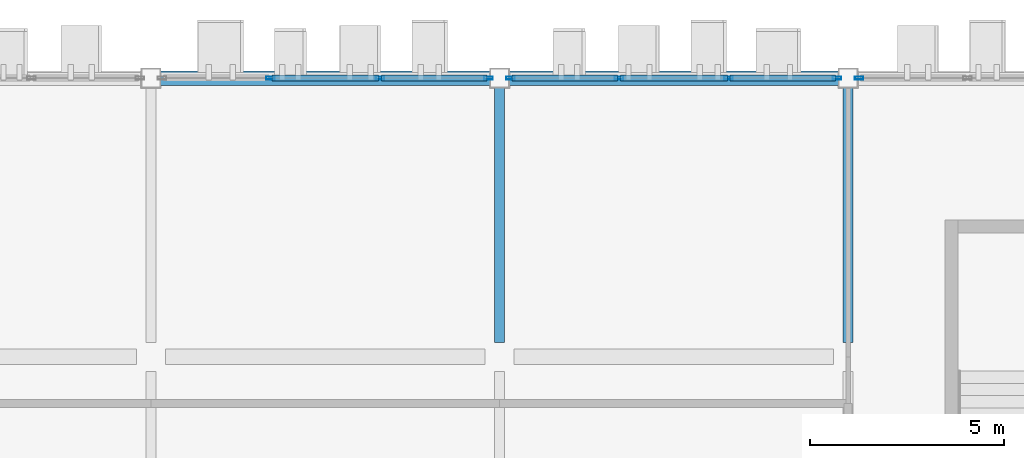
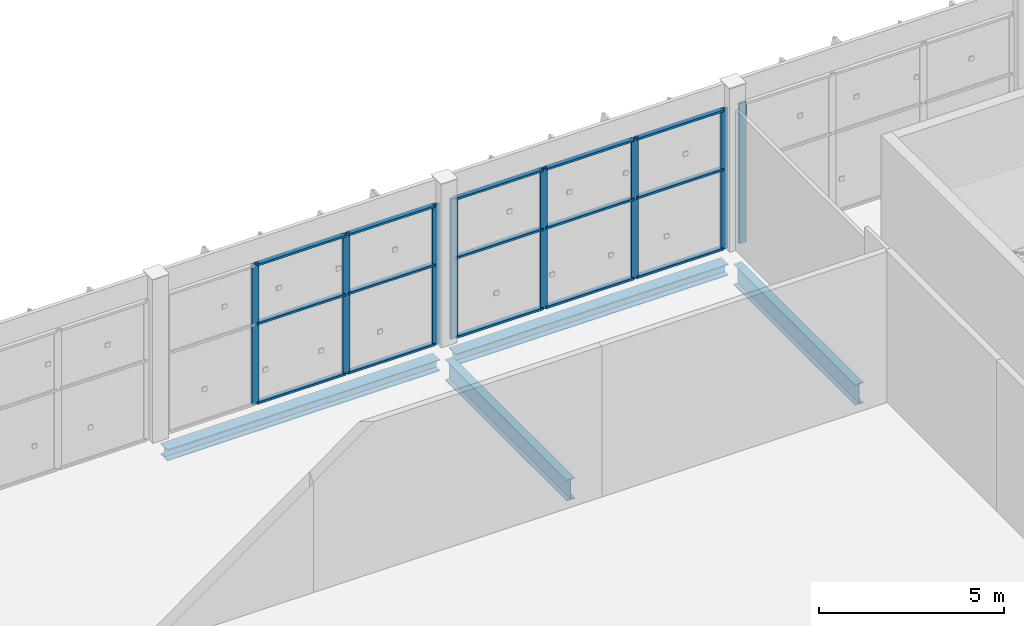
# One storey, part 110 of 189: 23 members, 4 beams, 3 elements without a shape of their own.
"""IFC4 building model written with IfcOpenShell, lengths in metres."""

from ifc_helpers import new_model, si_unit, direction, frame, origin, origin_2d, place, context, subcontext, project, spatial, hollow_rectangle, i_section, extrude, material, layer, layer_set, material_profile, profile_set, type_object, element, aggregate, save


model = new_model("IFC4")

# Units and contexts
model_context = context("Model", 3, precision=1e-05, world=origin(), true_north=direction((0.0, 1.0)))
body_context = subcontext(model_context, "Body", "Model", "MODEL_VIEW")
ifc_project = project(units=[si_unit("LENGTHUNIT", "METRE"), si_unit("AREAUNIT", "SQUARE_METRE"), si_unit("VOLUMEUNIT", "CUBIC_METRE"), si_unit("PLANEANGLEUNIT", "RADIAN"), si_unit("MASSUNIT", "GRAM", prefix="KILO")], contexts=[model_context])

# Site, building, storey
site_placement = place(None, origin())
site = spatial("IfcSite", under=ifc_project, at=site_placement, CompositionType="ELEMENT")
building_placement = place(site_placement, origin())
building = spatial("IfcBuilding", under=site, at=building_placement, Name="Celestram Park Convention Centre", CompositionType="ELEMENT")
storey_placement = place(building_placement, frame((0.0, 0.0, 5.39990234375)))
storey = spatial("IfcBuildingStorey", under=building, at=storey_placement, Name="L01", CompositionType="ELEMENT", Elevation=5.39990234375)

# Curtain wall, members
ifc_material_1 = material(Name="Anodised Aluminium Alloy 6063-T6", Category="aluminium")
ifc_layer = layer(ifc_material_1, 0.179931640625)
ifc_layer_set = layer_set([ifc_layer], Name="Anodised Aluminium Alloy 6063-T6")
curtain_wall_type = type_object("IfcCurtainWallType", Name="ARC-CW-850X462", PredefinedType="NOTDEFINED", material=ifc_layer_set)
curtain_wall_1_placement = place(storey_placement, origin())
curtain_wall_1 = element("IfcCurtainWall", 1, at=curtain_wall_1_placement, inside=storey, type_object=curtain_wall_type, Name="Unitised curtain wall CU-L01-072", PredefinedType="NOTDEFINED")
ifc_material_profile_1 = material_profile(ifc_material_1, hollow_rectangle(XDim=0.074951171875, YDim=0.219970703125, WallThickness=0.00390625, at=origin_2d()), Name="ALU75X220X4")
ifc_profile_set_1 = profile_set([ifc_material_profile_1], Name="Anodised Aluminium Alloy 6063-T6")
member_type_1 = type_object("IfcMemberType", Name="ARC-CWM-180", PredefinedType="MULLION", material=ifc_profile_set_1)
member_1_placement = place(storey_placement, frame((192.082763671875, 165.60009765625, 0.0), z_axis=(0.0, 0.0, 1.0), x_axis=(0.0, 1.0, 0.0)))
member_1 = element("IfcMember", 2, at=member_1_placement, type_object=member_type_1, Name="CW-85X46 mullion 2", PredefinedType="MULLION", context=body_context, shape_type="SweptSolid", body=[
    extrude(hollow_rectangle(XDim=0.074951171875, YDim=0.219970703125, WallThickness=0.00390625, at=origin_2d()), origin(), (0.0, 0.0, 1.0), 4.6240234375),
])
member_2_placement = place(storey_placement, frame((194.917236328125, 165.60009765625, 0.0), z_axis=(0.0, 0.0, 1.0), x_axis=(0.0, 1.0, 0.0)))
member_2 = element("IfcMember", 3, at=member_2_placement, type_object=member_type_1, Name="CW-85X46 mullion 3", PredefinedType="MULLION", context=body_context, shape_type="SweptSolid", body=[
    extrude(hollow_rectangle(XDim=0.074951171875, YDim=0.219970703125, WallThickness=0.00390625, at=origin_2d()), origin(), (0.0, 0.0, 1.0), 4.6240234375),
])
member_3_placement = place(storey_placement, frame((197.714599609375, 165.60009765625, 0.0), z_axis=(0.0, 0.0, 1.0), x_axis=(0.0, 1.0, 0.0)))
member_3 = element("IfcMember", 4, at=member_3_placement, type_object=member_type_1, Name="CW-85X46 mullion 4", PredefinedType="MULLION", context=body_context, shape_type="SweptSolid", body=[
    extrude(hollow_rectangle(XDim=0.074951171875, YDim=0.219970703125, WallThickness=0.00390625, at=origin_2d()), origin(), (0.0, 0.0, 1.0), 4.6240234375),
])

curtain_wall_2_placement = place(storey_placement, origin())
curtain_wall_2 = element("IfcCurtainWall", 5, at=curtain_wall_2_placement, inside=storey, type_object=curtain_wall_type, Name="Unitised curtain wall CU-L01-073", PredefinedType="NOTDEFINED")
member_4_placement = place(storey_placement, frame((198.285400390625, 165.60009765625, 0.0), z_axis=(0.0, 0.0, 1.0), x_axis=(0.0, 1.0, 0.0)))
member_4 = element("IfcMember", 6, at=member_4_placement, type_object=member_type_1, Name="CW-85X46 mullion 1", PredefinedType="MULLION", context=body_context, shape_type="SweptSolid", body=[
    extrude(hollow_rectangle(XDim=0.074951171875, YDim=0.219970703125, WallThickness=0.00390625, at=origin_2d()), origin(), (0.0, 0.0, 1.0), 4.6240234375),
])
member_5_placement = place(storey_placement, frame((201.082763671875, 165.60009765625, 0.0), z_axis=(0.0, 0.0, 1.0), x_axis=(0.0, 1.0, 0.0)))
member_5 = element("IfcMember", 7, at=member_5_placement, type_object=member_type_1, Name="CW-85X46 mullion 2", PredefinedType="MULLION", context=body_context, shape_type="SweptSolid", body=[
    extrude(hollow_rectangle(XDim=0.074951171875, YDim=0.219970703125, WallThickness=0.00390625, at=origin_2d()), origin(), (0.0, 0.0, 1.0), 4.6240234375),
])
member_6_placement = place(storey_placement, frame((203.917236328125, 165.60009765625, 0.0), z_axis=(0.0, 0.0, 1.0), x_axis=(0.0, 1.0, 0.0)))
member_6 = element("IfcMember", 8, at=member_6_placement, type_object=member_type_1, Name="CW-85X46 mullion 3", PredefinedType="MULLION", context=body_context, shape_type="SweptSolid", body=[
    extrude(hollow_rectangle(XDim=0.074951171875, YDim=0.219970703125, WallThickness=0.00390625, at=origin_2d()), origin(), (0.0, 0.0, 1.0), 4.6240234375),
])
member_7_placement = place(storey_placement, frame((206.714599609375, 165.60009765625, 0.0), z_axis=(0.0, 0.0, 1.0), x_axis=(0.0, 1.0, 0.0)))
member_7 = element("IfcMember", 9, at=member_7_placement, type_object=member_type_1, Name="CW-85X46 mullion 4", PredefinedType="MULLION", context=body_context, shape_type="SweptSolid", body=[
    extrude(hollow_rectangle(XDim=0.074951171875, YDim=0.219970703125, WallThickness=0.00390625, at=origin_2d()), origin(), (0.0, 0.0, 1.0), 4.6240234375),
])

# Curtain wall, member
curtain_wall_3_placement = place(storey_placement, origin())
curtain_wall_3 = element("IfcCurtainWall", 10, at=curtain_wall_3_placement, inside=storey, type_object=curtain_wall_type, Name="Unitised curtain wall CU-L01-074", PredefinedType="NOTDEFINED")
member_8_placement = place(storey_placement, frame((207.285400390625, 165.60009765625, 0.0), z_axis=(0.0, 0.0, 1.0), x_axis=(0.0, 1.0, 0.0)))
member_8 = element("IfcMember", 11, at=member_8_placement, type_object=member_type_1, Name="CW-85X46 mullion 1", PredefinedType="MULLION", context=body_context, shape_type="SweptSolid", body=[
    extrude(hollow_rectangle(XDim=0.074951171875, YDim=0.219970703125, WallThickness=0.00390625, at=origin_2d()), origin(), (0.0, 0.0, 1.0), 4.6240234375),
])
aggregate(curtain_wall_3, [member_8])

# Member
ifc_material_profile_2 = material_profile(ifc_material_1, hollow_rectangle(XDim=0.14990234375, YDim=0.06494140625, WallThickness=0.0029296875, at=origin_2d()), Name="ALU150X65X3")
ifc_profile_set_2 = profile_set([ifc_material_profile_2], Name="Anodised Aluminium Alloy 6063-T6")
member_type_2 = type_object("IfcMemberType", Name="ARC-CWT-150", PredefinedType="USERDEFINED", material=ifc_profile_set_2)
member_9_placement = place(storey_placement, frame((192.1201171875, 165.60009765625, 0.03271484375), z_axis=(1.0, 0.0, 0.0), x_axis=(0.0, 1.0, 0.0)))
member_9 = element("IfcMember", 12, at=member_9_placement, type_object=member_type_2, Name="CW-85X46 transom 2.1", ObjectType="TRANSOM", PredefinedType="USERDEFINED", context=body_context, shape_type="SweptSolid", body=[
    extrude(hollow_rectangle(XDim=0.14990234375, YDim=0.06494140625, WallThickness=0.0029296875, at=origin_2d()), origin(), (0.0, 0.0, 1.0), 2.759765625),
])

member_10_placement = place(storey_placement, frame((192.1201171875, 165.60009765625, 2.650146484375), z_axis=(1.0, 0.0, 0.0), x_axis=(0.0, 1.0, 0.0)))
member_10 = element("IfcMember", 13, at=member_10_placement, type_object=member_type_2, Name="CW-85X46 transom 2.2", ObjectType="TRANSOM", PredefinedType="USERDEFINED", context=body_context, shape_type="SweptSolid", body=[
    extrude(hollow_rectangle(XDim=0.14990234375, YDim=0.06494140625, WallThickness=0.0029296875, at=origin_2d()), origin(), (0.0, 0.0, 1.0), 2.759765625),
])

member_11_placement = place(storey_placement, frame((192.1201171875, 165.60009765625, 4.591552734375), z_axis=(1.0, 0.0, 0.0), x_axis=(0.0, 1.0, 0.0)))
member_11 = element("IfcMember", 14, at=member_11_placement, type_object=member_type_2, Name="CW-85X46 transom 2.3", ObjectType="TRANSOM", PredefinedType="USERDEFINED", context=body_context, shape_type="SweptSolid", body=[
    extrude(hollow_rectangle(XDim=0.14990234375, YDim=0.06494140625, WallThickness=0.0029296875, at=origin_2d()), origin(), (0.0, 0.0, 1.0), 2.759765625),
])

member_12_placement = place(storey_placement, frame((194.954833984375, 165.60009765625, 0.03271484375), z_axis=(1.0, 0.0, 0.0), x_axis=(0.0, 1.0, 0.0)))
member_12 = element("IfcMember", 15, at=member_12_placement, type_object=member_type_2, Name="CW-85X46 transom 3.1", ObjectType="TRANSOM", PredefinedType="USERDEFINED", context=body_context, shape_type="SweptSolid", body=[
    extrude(hollow_rectangle(XDim=0.14990234375, YDim=0.06494140625, WallThickness=0.0029296875, at=origin_2d()), origin(), (0.0, 0.0, 1.0), 2.72216796875),
])

member_13_placement = place(storey_placement, frame((194.954833984375, 165.60009765625, 2.650146484375), z_axis=(1.0, 0.0, 0.0), x_axis=(0.0, 1.0, 0.0)))
member_13 = element("IfcMember", 16, at=member_13_placement, type_object=member_type_2, Name="CW-85X46 transom 3.2", ObjectType="TRANSOM", PredefinedType="USERDEFINED", context=body_context, shape_type="SweptSolid", body=[
    extrude(hollow_rectangle(XDim=0.14990234375, YDim=0.06494140625, WallThickness=0.0029296875, at=origin_2d()), origin(), (0.0, 0.0, 1.0), 2.72216796875),
])

member_14_placement = place(storey_placement, frame((194.954833984375, 165.60009765625, 4.591552734375), z_axis=(1.0, 0.0, 0.0), x_axis=(0.0, 1.0, 0.0)))
member_14 = element("IfcMember", 17, at=member_14_placement, type_object=member_type_2, Name="CW-85X46 transom 3.3", ObjectType="TRANSOM", PredefinedType="USERDEFINED", context=body_context, shape_type="SweptSolid", body=[
    extrude(hollow_rectangle(XDim=0.14990234375, YDim=0.06494140625, WallThickness=0.0029296875, at=origin_2d()), origin(), (0.0, 0.0, 1.0), 2.72216796875),
])

aggregate(curtain_wall_1, [member_1, member_2, member_3, member_9, member_10, member_11, member_12, member_13, member_14])

member_15_placement = place(storey_placement, frame((198.322998046875, 165.60009765625, 0.03271484375), z_axis=(1.0, 0.0, 0.0), x_axis=(0.0, 1.0, 0.0)))
member_15 = element("IfcMember", 18, at=member_15_placement, type_object=member_type_2, Name="CW-85X46 transom 1.1", ObjectType="TRANSOM", PredefinedType="USERDEFINED", context=body_context, shape_type="SweptSolid", body=[
    extrude(hollow_rectangle(XDim=0.14990234375, YDim=0.06494140625, WallThickness=0.0029296875, at=origin_2d()), origin(), (0.0, 0.0, 1.0), 2.72216796875),
])

member_16_placement = place(storey_placement, frame((198.322998046875, 165.60009765625, 2.650146484375), z_axis=(1.0, 0.0, 0.0), x_axis=(0.0, 1.0, 0.0)))
member_16 = element("IfcMember", 19, at=member_16_placement, type_object=member_type_2, Name="CW-85X46 transom 1.2", ObjectType="TRANSOM", PredefinedType="USERDEFINED", context=body_context, shape_type="SweptSolid", body=[
    extrude(hollow_rectangle(XDim=0.14990234375, YDim=0.06494140625, WallThickness=0.0029296875, at=origin_2d()), origin(), (0.0, 0.0, 1.0), 2.72216796875),
])

member_17_placement = place(storey_placement, frame((198.322998046875, 165.60009765625, 4.591552734375), z_axis=(1.0, 0.0, 0.0), x_axis=(0.0, 1.0, 0.0)))
member_17 = element("IfcMember", 20, at=member_17_placement, type_object=member_type_2, Name="CW-85X46 transom 1.3", ObjectType="TRANSOM", PredefinedType="USERDEFINED", context=body_context, shape_type="SweptSolid", body=[
    extrude(hollow_rectangle(XDim=0.14990234375, YDim=0.06494140625, WallThickness=0.0029296875, at=origin_2d()), origin(), (0.0, 0.0, 1.0), 2.72216796875),
])

member_18_placement = place(storey_placement, frame((201.1201171875, 165.60009765625, 0.03271484375), z_axis=(1.0, 0.0, 0.0), x_axis=(0.0, 1.0, 0.0)))
member_18 = element("IfcMember", 21, at=member_18_placement, type_object=member_type_2, Name="CW-85X46 transom 2.1", ObjectType="TRANSOM", PredefinedType="USERDEFINED", context=body_context, shape_type="SweptSolid", body=[
    extrude(hollow_rectangle(XDim=0.14990234375, YDim=0.06494140625, WallThickness=0.0029296875, at=origin_2d()), origin(), (0.0, 0.0, 1.0), 2.759765625),
])

member_19_placement = place(storey_placement, frame((201.1201171875, 165.60009765625, 2.650146484375), z_axis=(1.0, 0.0, 0.0), x_axis=(0.0, 1.0, 0.0)))
member_19 = element("IfcMember", 22, at=member_19_placement, type_object=member_type_2, Name="CW-85X46 transom 2.2", ObjectType="TRANSOM", PredefinedType="USERDEFINED", context=body_context, shape_type="SweptSolid", body=[
    extrude(hollow_rectangle(XDim=0.14990234375, YDim=0.06494140625, WallThickness=0.0029296875, at=origin_2d()), origin(), (0.0, 0.0, 1.0), 2.759765625),
])

member_20_placement = place(storey_placement, frame((201.1201171875, 165.60009765625, 4.591552734375), z_axis=(1.0, 0.0, 0.0), x_axis=(0.0, 1.0, 0.0)))
member_20 = element("IfcMember", 23, at=member_20_placement, type_object=member_type_2, Name="CW-85X46 transom 2.3", ObjectType="TRANSOM", PredefinedType="USERDEFINED", context=body_context, shape_type="SweptSolid", body=[
    extrude(hollow_rectangle(XDim=0.14990234375, YDim=0.06494140625, WallThickness=0.0029296875, at=origin_2d()), origin(), (0.0, 0.0, 1.0), 2.759765625),
])

member_21_placement = place(storey_placement, frame((203.954833984375, 165.60009765625, 0.03271484375), z_axis=(1.0, 0.0, 0.0), x_axis=(0.0, 1.0, 0.0)))
member_21 = element("IfcMember", 24, at=member_21_placement, type_object=member_type_2, Name="CW-85X46 transom 3.1", ObjectType="TRANSOM", PredefinedType="USERDEFINED", context=body_context, shape_type="SweptSolid", body=[
    extrude(hollow_rectangle(XDim=0.14990234375, YDim=0.06494140625, WallThickness=0.0029296875, at=origin_2d()), origin(), (0.0, 0.0, 1.0), 2.72216796875),
])

member_22_placement = place(storey_placement, frame((203.954833984375, 165.60009765625, 2.650146484375), z_axis=(1.0, 0.0, 0.0), x_axis=(0.0, 1.0, 0.0)))
member_22 = element("IfcMember", 25, at=member_22_placement, type_object=member_type_2, Name="CW-85X46 transom 3.2", ObjectType="TRANSOM", PredefinedType="USERDEFINED", context=body_context, shape_type="SweptSolid", body=[
    extrude(hollow_rectangle(XDim=0.14990234375, YDim=0.06494140625, WallThickness=0.0029296875, at=origin_2d()), origin(), (0.0, 0.0, 1.0), 2.72216796875),
])

member_23_placement = place(storey_placement, frame((203.954833984375, 165.60009765625, 4.591552734375), z_axis=(1.0, 0.0, 0.0), x_axis=(0.0, 1.0, 0.0)))
member_23 = element("IfcMember", 26, at=member_23_placement, type_object=member_type_2, Name="CW-85X46 transom 3.3", ObjectType="TRANSOM", PredefinedType="USERDEFINED", context=body_context, shape_type="SweptSolid", body=[
    extrude(hollow_rectangle(XDim=0.14990234375, YDim=0.06494140625, WallThickness=0.0029296875, at=origin_2d()), origin(), (0.0, 0.0, 1.0), 2.72216796875),
])

aggregate(curtain_wall_2, [member_4, member_5, member_6, member_7, member_15, member_16, member_17, member_18, member_19, member_20, member_21, member_22, member_23])

# Beams
ifc_material_2 = material(Name="Steel ASTM A992 Grade 50", Category="steel")
ifc_material_profile_3 = material_profile(ifc_material_2, i_section(OverallWidth=0.25390625, OverallDepth=0.68310546875, WebThickness=0.012451171875, FlangeThickness=0.01904296875, at=origin_2d()), Name="W27X94")
ifc_profile_set_3 = profile_set([ifc_material_profile_3], Name="Steel ASTM A992 Grade 50")
beam_type_1 = type_object("IfcBeamType", Name="STR-BM-W27X94", PredefinedType="BEAM", material=ifc_profile_set_3)
for number, where, z_axis, x_axis, name in (
    (27, (198.0, 158.77294921875, -0.761474609375), (0.0, 1.0, 0.0), (-1.0, 0.0, 0.0), "Primary Y-girder BG-L01-0510"),
    (28, (207.0, 158.77294921875, -0.761474609375), (0.0, 1.0, 0.0), (-1.0, 0.0, 0.0), "Primary Y-girder BG-L01-0531"),
):
    element("IfcBeam", number, at=place(storey_placement, frame(where, z_axis=z_axis, x_axis=x_axis)), inside=storey, type_object=beam_type_1, Name=name, PredefinedType="BEAM", context=body_context, shape_type="SweptSolid", body=[
        extrude(i_section(OverallWidth=0.25390625, OverallDepth=0.68310546875, WebThickness=0.012451171875, FlangeThickness=0.01904296875, at=origin_2d()), origin(), (0.0, 0.0, 1.0), 6.5791015625),
    ])
ifc_material_profile_4 = material_profile(ifc_material_2, i_section(OverallWidth=0.373046875, OverallDepth=0.373046875, WebThickness=0.016357421875, FlangeThickness=0.026123046875, at=origin_2d()), Name="W14X132")
ifc_profile_set_4 = profile_set([ifc_material_profile_4], Name="Steel ASTM A992 Grade 50")
beam_type_2 = type_object("IfcBeamType", Name="STR-SPN-W14X132", PredefinedType="SPANDREL", material=ifc_profile_set_4)
for number, where, z_axis, x_axis, name in (
    (29, (189.248046875, 165.60009765625, -0.6064453125), (1.0, 0.0, 0.0), (0.0, 1.0, 0.0), "Primary X-girder BG-L01-0485"),
    (30, (198.248046875, 165.60009765625, -0.6064453125), (1.0, 0.0, 0.0), (0.0, 1.0, 0.0), "Primary X-girder BG-L01-0511"),
):
    element("IfcBeam", number, at=place(storey_placement, frame(where, z_axis=z_axis, x_axis=x_axis)), inside=storey, type_object=beam_type_2, Name=name, PredefinedType="SPANDREL", context=body_context, shape_type="SweptSolid", body=[
        extrude(i_section(OverallWidth=0.373046875, OverallDepth=0.373046875, WebThickness=0.016357421875, FlangeThickness=0.026123046875, at=origin_2d()), origin(), (0.0, 0.0, 1.0), 8.50390625),
    ])

save(model, "model.ifc")
